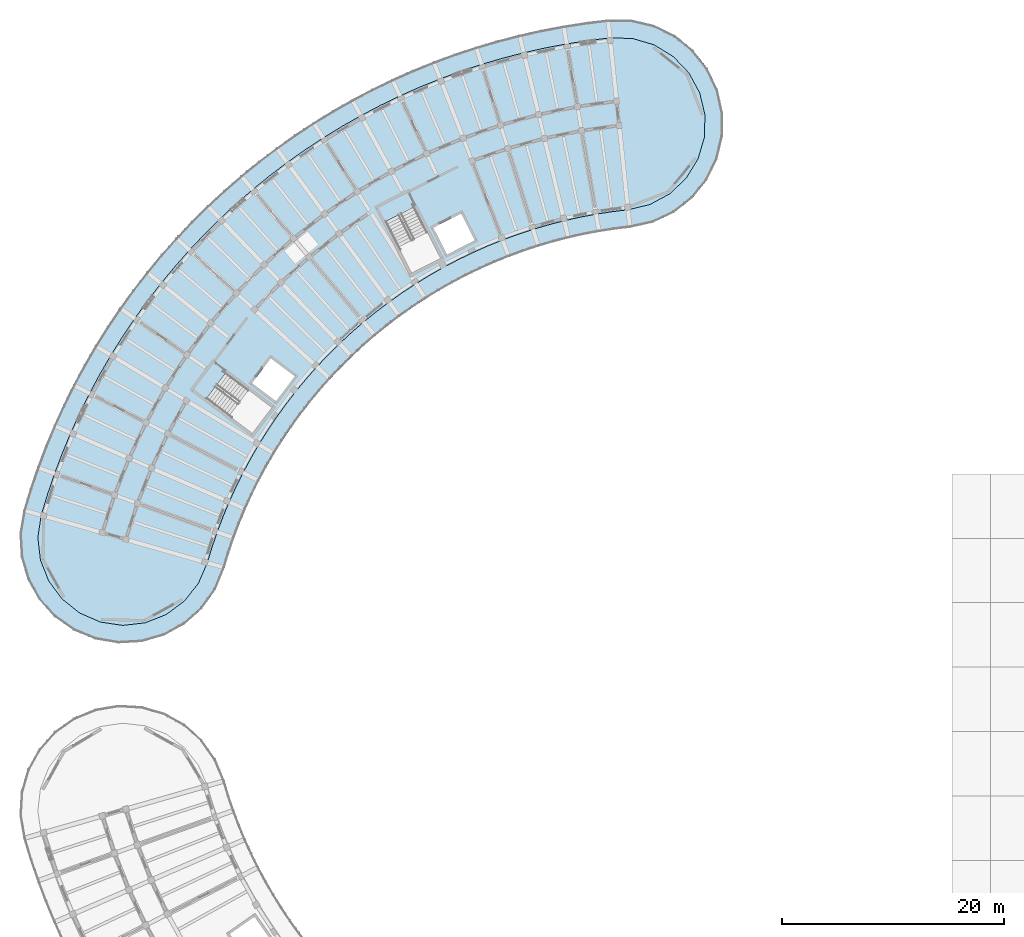
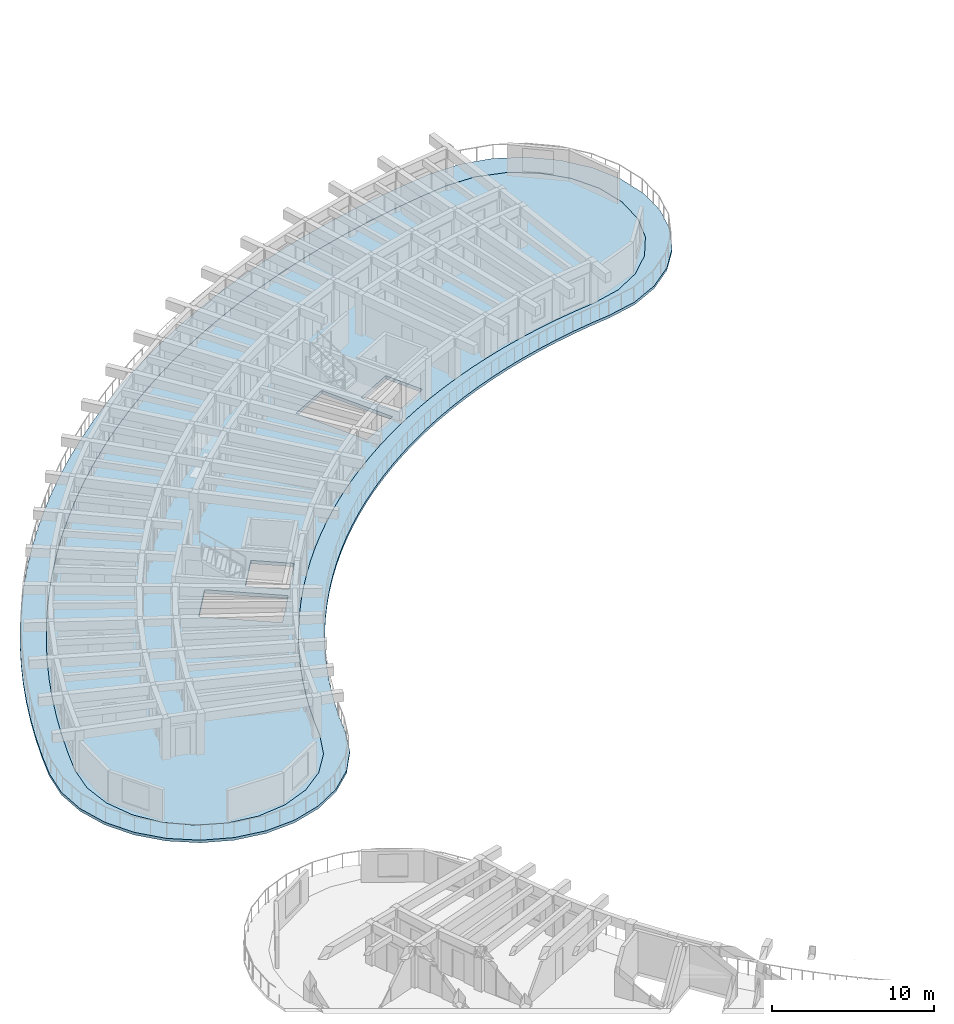
# One storey, part 21 of 69: 2 slabs.
"""IFC4 building model written with IfcOpenShell, lengths in metres."""

from ifc_helpers import new_model, si_unit, direction, frame, origin, place, context, subcontext, project, spatial, polyline, outline, extrude, material, layer, layer_set, type_object, element, save


model = new_model("IFC4")

# Units and contexts
model_context = context("Model", 3, precision=1e-05, world=origin(), true_north=direction((0.0, 1.0)))
body_context = subcontext(model_context, "Body", "Model", "MODEL_VIEW")
ifc_project = project(units=[si_unit("LENGTHUNIT", "METRE"), si_unit("AREAUNIT", "SQUARE_METRE"), si_unit("VOLUMEUNIT", "CUBIC_METRE"), si_unit("PLANEANGLEUNIT", "RADIAN"), si_unit("MASSUNIT", "GRAM", prefix="KILO")], contexts=[model_context])

# Site, building, storey
site_placement = place(None, origin())
site = spatial("IfcSite", under=ifc_project, at=site_placement, CompositionType="ELEMENT")
building_placement = place(site_placement, origin())
building = spatial("IfcBuilding", under=site, at=building_placement, Name="Tanwirah Colonnade Gardens", CompositionType="ELEMENT")
storey_placement = place(building_placement, frame((0.0, 0.0, 15.56005859375)))
storey = spatial("IfcBuildingStorey", under=building, at=storey_placement, Name="L04", CompositionType="ELEMENT", Elevation=15.56005859375)

# Slabs
ifc_material_1 = material(Name="White architectural precast concrete C40/50", Category="concrete")
ifc_layer_1 = layer(ifc_material_1, 0.199951171875)
ifc_layer_set_1 = layer_set([ifc_layer_1], Name="White architectural precast concrete C40/50")
slab_type_1 = type_object("IfcSlabType", Name="SL-BAL-200", PredefinedType="FLOOR", material=ifc_layer_set_1)
slab_1_placement = place(storey_placement, frame((0.0, 0.0, -0.199951171875)))
element("IfcSlab", 1, at=slab_1_placement, inside=storey, type_object=slab_type_1, Name="Block A L04 Continuous White Balcony Ribbon", PredefinedType="FLOOR", context=body_context, shape_type="SweptSolid", body=[
    extrude(outline(polyline([(62.602783203125, 103.019775390625), (64.505859375, 103.918701171875), (66.161376953125, 105.21875), (67.486083984375, 106.854736328125), (68.41357421875, 108.744140625), (68.897216796875, 110.792724609375), (68.9130859375, 112.897705078125), (68.4599609375, 114.953369140625), (67.560791015625, 116.8564453125), (66.2607421875, 118.511962890625), (64.625, 119.836669921875), (62.7353515625, 120.76416015625), (60.686767578125, 121.247802734375), (58.58203125, 121.263671875), (56.57275390625, 121.018798828125), (54.572509765625, 120.7080078125), (52.583740234375, 120.33154296875), (50.608642578125, 119.8896484375), (48.64892578125, 119.3828125), (46.70703125, 118.811767578125), (44.78515625, 118.1767578125), (42.885009765625, 117.47900390625), (41.009033203125, 116.718994140625), (39.1591796875, 115.8974609375), (37.33740234375, 115.015380859375), (35.545654296875, 114.073974609375), (33.785888671875, 113.07373046875), (32.06005859375, 112.01611328125), (30.3701171875, 110.90234375), (28.717529296875, 109.7333984375), (27.104736328125, 108.510498046875), (25.532958984375, 107.235107421875), (24.00390625, 105.90869140625), (22.51953125, 104.532470703125), (21.08154296875, 103.108154296875), (19.69091796875, 101.63720703125), (18.349853515625, 100.121337890625), (17.059326171875, 98.56201171875), (15.82080078125, 96.9609375), (14.6357421875, 95.320068359375), (13.505615234375, 93.640869140625), (12.431396484375, 91.92529296875), (11.414306640625, 90.17529296875), (10.455322265625, 88.392822265625), (9.5556640625, 86.57958984375), (8.71630859375, 84.73779296875), (7.93798828125, 82.869140625), (7.221923828125, 80.97607421875), (6.568359375, 79.060302734375), (5.978515625, 77.1240234375), (5.62841796875, 75.048583984375), (5.749267578125, 72.947021484375), (6.33447265625, 70.925048828125), (7.35498046875, 69.083984375), (8.759521484375, 67.516357421875), (10.477783203125, 66.30029296875), (12.42333984375, 65.497314453125), (14.4990234375, 65.147216796875), (16.6005859375, 65.267822265625), (18.62255859375, 65.853271484375), (20.46337890625, 66.873779296875), (22.03125, 68.2783203125), (23.2470703125, 69.996337890625), (24.05029296875, 71.942138671875), (24.45947265625, 73.28564453125), (24.912841796875, 74.61474609375), (25.409912109375, 75.92822265625), (25.94970703125, 77.224609375), (26.531982421875, 78.50244140625), (27.15625, 79.760498046875), (27.821533203125, 80.997314453125), (28.52734375, 82.21142578125), (29.272705078125, 83.401611328125), (30.056884765625, 84.566650390625), (30.87890625, 85.705078125), (31.73828125, 86.81591796875), (32.633544921875, 87.89794921875), (33.564208984375, 88.94970703125), (34.52880859375, 89.97021484375), (35.526611328125, 90.95849609375), (36.556396484375, 91.9130859375), (37.6171875, 92.83349609375), (38.707763671875, 93.71826171875), (39.826904296875, 94.566650390625), (40.973388671875, 95.3779296875), (42.14599609375, 96.150634765625), (43.34326171875, 96.884521484375), (44.564208984375, 97.578369140625), (45.807373046875, 98.231689453125), (47.0712890625, 98.843505859375), (48.354736328125, 99.41357421875), (49.656494140625, 99.94091796875), (50.974609375, 100.425048828125), (52.30810546875, 100.865478515625), (53.655517578125, 101.26171875), (55.01513671875, 101.61328125), (56.385498046875, 101.919921875), (57.765380859375, 102.18115234375), (59.153076171875, 102.396728515625), (60.547119140625, 102.566650390625), (62.602783203125, 103.019775390625)]), holes=[polyline([(62.3525390625, 104.652099609375), (60.376220703125, 104.177490234375), (58.930908203125, 104.00146484375), (58.930419921875, 104.00146484375), (57.490478515625, 103.777587890625), (57.489990234375, 103.777587890625), (56.058349609375, 103.506591796875), (56.0576171875, 103.50634765625), (54.6357421875, 103.188232421875), (54.635009765625, 103.18798828125), (53.224365234375, 102.8232421875), (53.2236328125, 102.822998046875), (51.825927734375, 102.411865234375), (51.8251953125, 102.411865234375), (50.441650390625, 101.954833984375), (50.44091796875, 101.95458984375), (49.0732421875, 101.4521484375), (49.07275390625, 101.451904296875), (47.72216796875, 100.90478515625), (47.7216796875, 100.904541015625), (46.389892578125, 100.313232421875), (46.38916015625, 100.31298828125), (45.077880859375, 99.677978515625), (45.0771484375, 99.677734375), (43.787353515625, 99.0), (43.786865234375, 98.99951171875), (42.52001953125, 98.279541015625), (42.51953125, 98.279296875), (41.277099609375, 97.51806640625), (41.276611328125, 97.517578125), (40.059814453125, 96.7158203125), (40.059326171875, 96.71533203125), (38.869873046875, 95.873779296875), (38.869384765625, 95.87353515625), (37.708251953125, 94.9931640625), (37.707763671875, 94.99267578125), (36.576171875, 94.07470703125), (36.57568359375, 94.07421875), (35.47509765625, 93.119384765625), (35.474609375, 93.118896484375), (34.406005859375, 92.12841796875), (34.405517578125, 92.1279296875), (33.370361328125, 91.1025390625), (33.369873046875, 91.10205078125), (32.368896484375, 90.043212890625), (32.368408203125, 90.042724609375), (31.40283203125, 88.951416015625), (31.402587890625, 88.950927734375), (30.473388671875, 87.828369140625), (30.47314453125, 87.827880859375), (29.58154296875, 86.67529296875), (29.581298828125, 86.6748046875), (28.728271484375, 85.493408203125), (28.727783203125, 85.492919921875), (27.9140625, 84.2841796875), (27.913818359375, 84.28369140625), (27.140380859375, 83.048828125), (27.14013671875, 83.048095703125), (26.407958984375, 81.788330078125), (26.40771484375, 81.787841796875), (25.71728515625, 80.504638671875), (25.717041015625, 80.504150390625), (25.0693359375, 79.19873046875), (25.069091796875, 79.1982421875), (24.46484375, 77.872314453125), (24.464599609375, 77.87158203125), (23.904296875, 76.526611328125), (23.904052734375, 76.52587890625), (23.388671875, 75.1630859375), (23.388427734375, 75.16259765625), (22.91796875, 73.783447265625), (22.917724609375, 73.78271484375), (22.493408203125, 72.39013671875), (21.68310546875, 70.526123046875), (20.418701171875, 68.936767578125), (18.7861328125, 67.728759765625), (16.896484375, 66.984375), (14.878662109375, 66.75439453125), (12.869873046875, 67.0546875), (11.007568359375, 67.864501953125), (9.41796875, 69.12890625), (8.2099609375, 70.761474609375), (7.465576171875, 72.651123046875), (7.23583984375, 74.6689453125), (7.5361328125, 76.6787109375), (8.110107421875, 78.562744140625), (8.746337890625, 80.427978515625), (9.443603515625, 82.271240234375), (10.201171875, 84.09033203125), (11.0185546875, 85.883544921875), (11.89453125, 87.64892578125), (12.828125, 89.384521484375), (13.818359375, 91.08837890625), (14.8642578125, 92.758544921875), (15.964599609375, 94.393310546875), (17.118408203125, 95.990966796875), (18.32421875, 97.5498046875), (19.58056640625, 99.068115234375), (20.886474609375, 100.5439453125), (22.240234375, 101.97607421875), (23.640380859375, 103.36279296875), (25.085693359375, 104.70263671875), (26.57421875, 105.994140625), (28.1044921875, 107.23583984375), (29.6748046875, 108.42626953125), (31.28369140625, 109.564453125), (32.92919921875, 110.649169921875), (34.609375, 111.6787109375), (36.32275390625, 112.652587890625), (38.067138671875, 113.5693359375), (39.841064453125, 114.427978515625), (41.64208984375, 115.227783203125), (43.468505859375, 115.9677734375), (45.318359375, 116.647216796875), (47.189697265625, 117.26513671875), (49.080322265625, 117.8212890625), (50.98828125, 118.314697265625), (52.911376953125, 118.744873046875), (54.84765625, 119.111572265625), (56.795166015625, 119.414306640625), (58.750244140625, 119.65234375), (60.781494140625, 119.59912109375), (62.728759765625, 119.0224609375), (64.46044921875, 117.961181640625), (65.858642578125, 116.488037109375), (66.82763671875, 114.703125), (67.3017578125, 112.728271484375), (67.24853515625, 110.697998046875), (66.671630859375, 108.750732421875), (65.610595703125, 107.01904296875), (64.137451171875, 105.62109375), (62.3525390625, 104.652099609375)])]), origin(), (0.0, 0.0, 1.0), 0.199951171875),
])
ifc_material_2 = material(Name="Precast concrete C40/50", Category="concrete")
ifc_layer_2 = layer(ifc_material_2, 0.2548828125)
ifc_layer_set_2 = layer_set([ifc_layer_2], Name="Precast concrete C40/50")
slab_type_2 = type_object("IfcSlabType", Name="SL-RES-255", PredefinedType="FLOOR", material=ifc_layer_set_2)
slab_2_placement = place(storey_placement, frame((0.0, 0.0, -0.255126953125)))
element("IfcSlab", 2, at=slab_2_placement, inside=storey, type_object=slab_type_2, Name="Block A L04 Precast Composite Floor Slab", PredefinedType="FLOOR", context=body_context, shape_type="SweptSolid", body=[
    extrude(outline(polyline([(57.49365234375, 103.758056640625), (58.933349609375, 103.981689453125), (60.3798828125, 104.157958984375), (62.35986328125, 104.63330078125), (64.149169921875, 105.604736328125), (65.626220703125, 107.00634765625), (66.690185546875, 108.74267578125), (67.2685546875, 110.695068359375), (67.32177734375, 112.73046875), (66.846435546875, 114.71044921875), (65.874755859375, 116.499755859375), (64.47314453125, 117.976806640625), (62.737060546875, 119.040771484375), (60.78466796875, 119.619140625), (58.749267578125, 119.67236328125), (56.792236328125, 119.43408203125), (54.84423828125, 119.13134765625), (52.907470703125, 118.7646484375), (50.983642578125, 118.334228515625), (49.074951171875, 117.840576171875), (47.183837890625, 117.284423828125), (45.311767578125, 116.666015625), (43.46142578125, 115.986328125), (41.63427734375, 115.24609375), (39.83251953125, 114.446044921875), (38.05810546875, 113.587158203125), (36.313232421875, 112.669921875), (34.599365234375, 111.696044921875), (32.91845703125, 110.666015625), (31.2724609375, 109.5810546875), (29.6630859375, 108.442626953125), (28.092041015625, 107.25146484375), (26.561279296875, 106.009521484375), (25.072265625, 104.717529296875), (23.62646484375, 103.377197265625), (22.225830078125, 101.990234375), (20.87158203125, 100.5576171875), (19.5654296875, 99.0810546875), (18.30859375, 97.562255859375), (17.102294921875, 96.0029296875), (15.9482421875, 94.40478515625), (14.847412109375, 92.76953125), (13.80126953125, 91.0986328125), (12.810546875, 89.394287109375), (11.876708984375, 87.658203125), (11.00048828125, 85.892333984375), (10.182861328125, 84.098388671875), (9.425048828125, 82.278564453125), (8.7275390625, 80.434814453125), (8.091064453125, 78.56884765625), (7.5166015625, 76.68310546875), (7.215576171875, 74.669189453125), (7.446044921875, 72.646240234375), (8.1923828125, 70.751708984375), (9.403564453125, 69.11474609375), (10.9970703125, 67.84716796875), (12.864501953125, 67.035400390625), (14.878173828125, 66.734375), (16.9013671875, 66.96484375), (18.7958984375, 67.711181640625), (20.4326171875, 68.92236328125), (21.7001953125, 70.515869140625), (22.51220703125, 72.383056640625), (22.93701171875, 73.777099609375), (23.4072265625, 75.156005859375), (23.9228515625, 76.518798828125), (24.483154296875, 77.864013671875), (25.08740234375, 79.18994140625), (25.73486328125, 80.4951171875), (26.42529296875, 81.7783203125), (27.157470703125, 83.0380859375), (27.9306640625, 84.27294921875), (28.744384765625, 85.48193359375), (29.597412109375, 86.6630859375), (30.489013671875, 87.815673828125), (31.41796875, 88.938232421875), (32.38330078125, 90.029541015625), (33.38427734375, 91.08837890625), (34.419677734375, 92.11376953125), (35.48828125, 93.104248046875), (36.5888671875, 94.05908203125), (37.72021484375, 94.977294921875), (38.88134765625, 95.857421875), (40.07080078125, 96.698974609375), (41.28759765625, 97.5009765625), (42.52978515625, 98.26220703125), (43.796630859375, 98.982177734375), (45.08642578125, 99.659912109375), (46.39794921875, 100.294921875), (47.729736328125, 100.88623046875), (49.080078125, 101.433349609375), (50.447998046875, 101.935791015625), (51.83154296875, 102.392822265625), (53.229248046875, 102.803955078125), (54.64013671875, 103.168701171875), (56.06201171875, 103.48681640625), (57.49365234375, 103.758056640625)]), holes=[polyline([(41.13427734375, 104.433349609375), (43.49365234375, 99.802734375), (40.897216796875, 98.479736328125), (38.537841796875, 103.1103515625), (41.13427734375, 104.433349609375)]), polyline([(46.574462890625, 101.428466796875), (44.07958984375, 100.157470703125), (42.853759765625, 102.563232421875), (45.3486328125, 103.834228515625), (46.574462890625, 101.428466796875)]), polyline([(26.555908203125, 84.039794921875), (22.4052734375, 87.16748046875), (24.158935546875, 89.49462890625), (28.3095703125, 86.366943359375), (26.555908203125, 84.039794921875)]), polyline([(26.5244140625, 88.5673828125), (28.20947265625, 90.8037109375), (30.36572265625, 89.1787109375), (28.6806640625, 86.942626953125), (26.5244140625, 88.5673828125)])]), origin(), (0.0, 0.0, 1.0), 0.255126953125),
])

save(model, "model.ifc")
